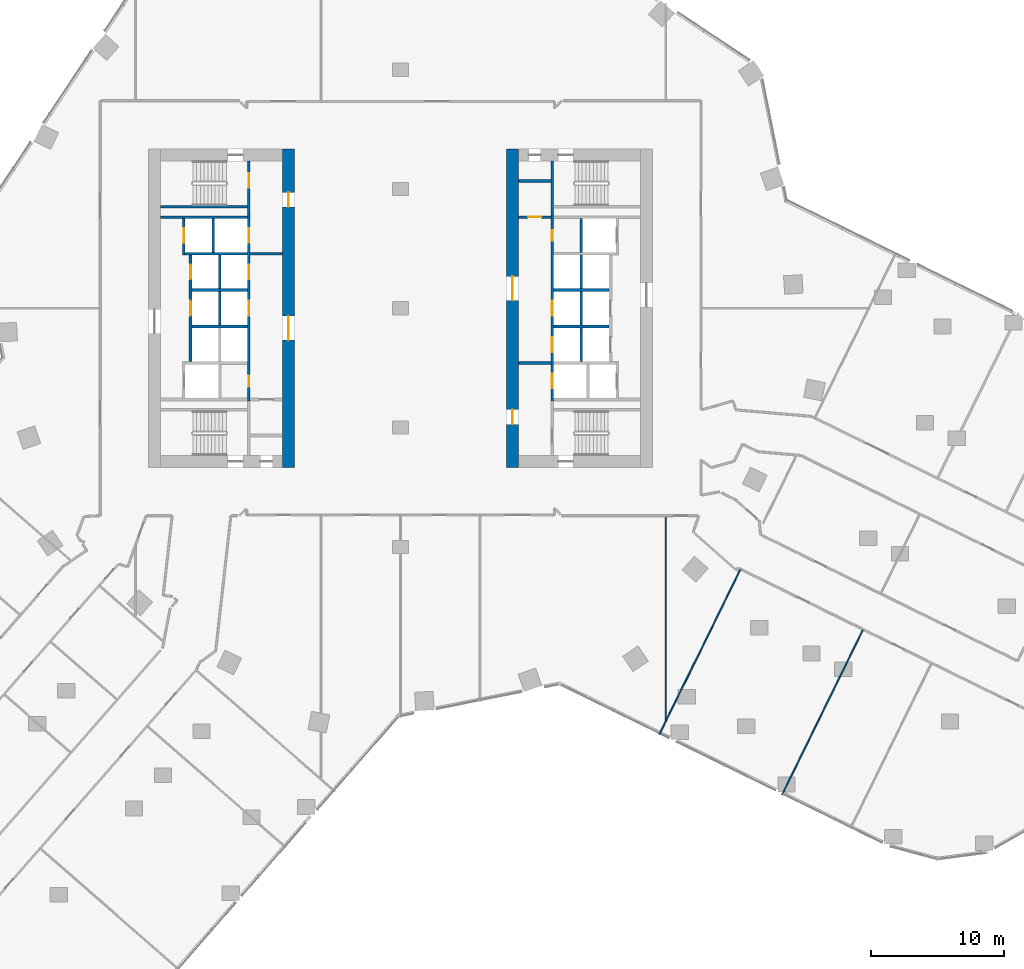
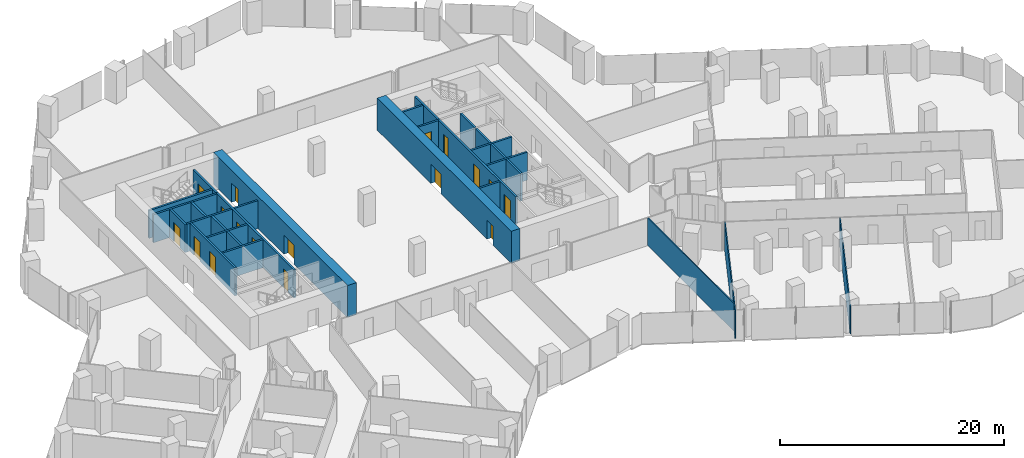
# One storey, part 28 of 38: 30 walls, 17 doors, 17 openings.
"""IFC4 building model written with IfcOpenShell, lengths in metres."""

import ifcopenshell
import ifcopenshell.guid

model = None  # the IFC model being written
_history = None  # IfcOwnerHistory: only IFC2X3 demands one
_inside = {}  # id of a spatial element -> (the spatial element, [elements in it])
_under = {}  # id of a project, library or spatial element -> (it, [spatial elements below it])
_declared = {}  # id of a project -> (the project, [libraries it declares])
_typed = {}  # id of a type object -> (the type object, [elements of that type])
_made_of = {}  # id of a material, layer set ... -> (it, [elements and type objects made of it])


def new_model(schema):
    """Start an empty IFC model of exactly this schema.

    Asked for "IFC4X3", IfcOpenShell would pick the latest addendum, in which some entities
    have other attributes; the version numbers below select the first issue.
    IFC2X3 requires an IfcOwnerHistory on every rooted entity: one is made here for all.
    """
    global model, _history
    if schema == "IFC4X3":
        model = ifcopenshell.file(schema_version=(4, 3, 0, 0))
    else:
        model = ifcopenshell.file(schema=schema)
    _inside.clear()
    _under.clear()
    _declared.clear()
    _typed.clear()
    _made_of.clear()
    _history = None
    if model.schema == "IFC2X3":
        org = make("IfcOrganization", Name="unknown")
        user = make(
            "IfcPersonAndOrganization",
            ThePerson=make("IfcPerson", FamilyName="unknown"),
            TheOrganization=org,
        )
        app = make(
            "IfcApplication",
            ApplicationDeveloper=org,
            Version="unknown",
            ApplicationFullName="unknown",
            ApplicationIdentifier="unknown",
        )
        _history = make(
            "IfcOwnerHistory",
            OwningUser=user,
            OwningApplication=app,
            ChangeAction="ADDED",
            CreationDate=0,
        )
    return model


def make(cls, **values):
    """One entity of the class cls with the attributes given. An attribute that is None is left unset."""
    return model.create_entity(
        cls, **{name: value for name, value in values.items() if value is not None}
    )


def rooted(cls, **values):
    """An entity with a GlobalId (a new one), such as an element, a storey or a relation."""
    return make(cls, GlobalId=ifcopenshell.guid.new(), OwnerHistory=_history, **values)


def si_unit(unit_type, name, prefix=None):
    """IfcSIUnit, for example si_unit("LENGTHUNIT", "METRE", prefix="MILLI")."""
    return make("IfcSIUnit", UnitType=unit_type, Prefix=prefix, Name=name)


def assignment(units):
    """IfcUnitAssignment: the units of a project."""
    return None if units is None else make("IfcUnitAssignment", Units=units)


def point(xyz):
    """IfcCartesianPoint."""
    return None if xyz is None else make("IfcCartesianPoint", Coordinates=xyz)


def direction(xyz):
    """IfcDirection."""
    return None if xyz is None else make("IfcDirection", DirectionRatios=xyz)


def frame(location, z_axis=None, x_axis=None):
    """IfcAxis2Placement3D, a coordinate frame: its origin and axes. An axis left out is left unset."""
    return make(
        "IfcAxis2Placement3D",
        Location=point(location),
        Axis=direction(z_axis),
        RefDirection=direction(x_axis),
    )


def frame_2d(location, x_axis=None):
    """IfcAxis2Placement2D, a coordinate frame in the plane: its origin and x axis."""
    return make(
        "IfcAxis2Placement2D", Location=point(location), RefDirection=direction(x_axis)
    )


def origin():
    """The frame at (0, 0, 0) with its axes left unset."""
    return frame((0.0, 0.0, 0.0))


def place(relative_to, where):
    """IfcLocalPlacement: puts the frame where relative to a parent placement (None: the world)."""
    return make(
        "IfcLocalPlacement", PlacementRelTo=relative_to, RelativePlacement=where
    )


def context(
    kind, dimensions, precision=None, world=None, true_north=None, identifier=None
):
    """IfcGeometricRepresentationContext, for example the 3D "Model" context."""
    return make(
        "IfcGeometricRepresentationContext",
        ContextIdentifier=identifier,
        ContextType=kind,
        CoordinateSpaceDimension=dimensions,
        Precision=precision,
        WorldCoordinateSystem=world,
        TrueNorth=true_north,
    )


def subcontext(parent, identifier, kind, view, scale=None):
    """IfcGeometricRepresentationSubContext, for example "Body" below "Model"."""
    return make(
        "IfcGeometricRepresentationSubContext",
        ContextIdentifier=identifier,
        ContextType=kind,
        ParentContext=parent,
        TargetScale=scale,
        TargetView=view,
    )


def project(units=None, contexts=None):
    """IfcProject with its units and contexts."""
    return rooted(
        "IfcProject",
        Name="project",
        RepresentationContexts=contexts,
        UnitsInContext=assignment(units),
    )


def spatial(cls, under=None, at=None, **own):
    """A site, building, storey or space (cls), placed at a placement, below another one or the project."""
    s = rooted(cls, ObjectPlacement=at, **own)
    if under is not None:
        _under.setdefault(under.id(), (under, []))[1].append(s)
    return s


def profile(cls, at=None, kind="AREA", **sizes):
    """A parametric profile (cls). Its sizes go by their IFC names, for example OverallWidth=200.0."""
    return make(cls, ProfileType=kind, Position=at, **sizes)


def rectangle(**sizes):
    """IfcRectangleProfileDef."""
    return profile("IfcRectangleProfileDef", **sizes)


def extrude(swept, where, along, depth):
    """IfcExtrudedAreaSolid: the profile swept, set in the frame where, extruded along a direction by depth."""
    return make(
        "IfcExtrudedAreaSolid",
        SweptArea=swept,
        Position=where,
        ExtrudedDirection=direction(along),
        Depth=depth,
    )


def shape(context_of_items, identifier, shape_type, items):
    """IfcShapeRepresentation: the items that make up one representation, for example the "Body"."""
    return make(
        "IfcShapeRepresentation",
        ContextOfItems=context_of_items,
        RepresentationIdentifier=identifier,
        RepresentationType=shape_type,
        Items=items,
    )


def material(Name=None, Category=None):
    """IfcMaterial."""
    return make("IfcMaterial", Name=Name, Category=Category)


def layer(
    of_material, thickness, ventilated=None, Name=None, Category=None, Priority=None
):
    """IfcMaterialLayer: one layer of a wall or slab, of a material (None: an air gap)."""
    return make(
        "IfcMaterialLayer",
        Material=of_material,
        LayerThickness=thickness,
        IsVentilated=ventilated,
        Name=Name,
        Category=Category,
        Priority=Priority,
    )


def layer_set(layers, Name=None):
    """IfcMaterialLayerSet."""
    return make("IfcMaterialLayerSet", MaterialLayers=layers, LayerSetName=Name)


def made_of(thing, what):
    """Note that an element or type object is made of a material, layer set ...; save() writes the relation."""
    if what is not None:
        _made_of.setdefault(what.id(), (what, []))[1].append(thing)
    return thing


def type_object(cls, material=None, **own):
    """A type object (cls), such as IfcWallType, which elements share."""
    return made_of(rooted(cls, **own), material)


def element(
    cls,
    number,
    at=None,
    inside=None,
    cuts=None,
    type_object=None,
    material=None,
    context=None,
    identifier="Body",
    shape_type=None,
    held_by="IfcProductDefinitionShape",
    body=None,
    shapes=None,
    **own,
):
    """One element of the class cls, such as IfcWall. Its Tag is "e" and its number.

    at: its placement. inside: the storey or other place that contains it. cuts: it is an
    opening in that element (IfcRelVoidsElement). A single representation is given by context,
    identifier, shape_type and body (its items); several are given by shapes. held_by: the class
    of the entity that holds the representations. save() writes the other relations.
    """
    e = rooted(cls, Tag="e%d" % number, ObjectPlacement=at, **own)
    if body is not None:
        shapes = [shape(context, identifier, shape_type, body)]
    if shapes is not None:
        e.Representation = make(held_by, Representations=shapes)
    if inside is not None:
        _inside.setdefault(inside.id(), (inside, []))[1].append(e)
    if cuts is not None:
        rooted(
            "IfcRelVoidsElement", RelatingBuildingElement=cuts, RelatedOpeningElement=e
        )
    if type_object is not None:
        _typed.setdefault(type_object.id(), (type_object, []))[1].append(e)
    return made_of(e, material)


def fill(opening, filler):
    """IfcRelFillsElement: the door or window that sits in an opening."""
    return rooted(
        "IfcRelFillsElement",
        RelatingOpeningElement=opening,
        RelatedBuildingElement=filler,
    )


def aggregate(whole, parts):
    """IfcRelAggregates: a whole, such as a stair, and the parts it consists of."""
    return rooted("IfcRelAggregates", RelatingObject=whole, RelatedObjects=parts)


def save(model, path):
    """Write the relations noted so far, then the file.

    IfcRelAggregates (storeys below a building ...), IfcRelContainedInSpatialStructure (elements
    in a storey), IfcRelDefinesByType, IfcRelAssociatesMaterial and IfcRelDeclares: one each for
    every whole, place, type object, material and project.
    """
    for whole, parts in _under.values():
        aggregate(whole, parts)
    for where, things in _inside.values():
        rooted(
            "IfcRelContainedInSpatialStructure",
            RelatedElements=things,
            RelatingStructure=where,
        )
    for kind, things in _typed.values():
        rooted("IfcRelDefinesByType", RelatedObjects=things, RelatingType=kind)
    for what, things in _made_of.values():
        rooted("IfcRelAssociatesMaterial", RelatedObjects=things, RelatingMaterial=what)
    for by, libraries in _declared.values():
        rooted("IfcRelDeclares", RelatingContext=by, RelatedDefinitions=libraries)
    model.write(path)


model = new_model("IFC4")

# Units and contexts
model_context = context("Model", 3, precision=1e-05, world=origin(), true_north=direction((0.0, 1.0)))
body_context = subcontext(model_context, "Body", "Model", "MODEL_VIEW")
ifc_project = project(units=[si_unit("LENGTHUNIT", "METRE"), si_unit("AREAUNIT", "SQUARE_METRE"), si_unit("VOLUMEUNIT", "CUBIC_METRE"), si_unit("PLANEANGLEUNIT", "RADIAN"), si_unit("MASSUNIT", "GRAM", prefix="KILO")], contexts=[model_context])

# Site, building, storey
site_placement = place(None, origin())
site = spatial("IfcSite", under=ifc_project, at=site_placement, CompositionType="ELEMENT")
building_placement = place(site_placement, origin())
building = spatial("IfcBuilding", under=site, at=building_placement, Name="Orlundy Tower", CompositionType="ELEMENT")
storey_placement = place(building_placement, frame((0.0, 0.0, 72.800048828125)))
storey = spatial("IfcBuildingStorey", under=building, at=storey_placement, Name="L17", CompositionType="ELEMENT", Elevation=72.800048828125)

# Wall, openings, doors
ifc_material_1 = material(Name="Concrete C80/95", Category="concrete")
ifc_layer_1 = layer(ifc_material_1, 0.89990234375)
ifc_layer_set_1 = layer_set([ifc_layer_1], Name="CORE WALL 900 C80/95")
wall_type_1 = type_object("IfcWallType", Name="CORE WALL 900 C80/95", PredefinedType="SHEAR", material=ifc_layer_set_1)
wall_1_placement = place(storey_placement, frame((-8.449951171875, -12.0, 0.0), z_axis=(0.0, 0.0, 1.0), x_axis=(0.0, 1.0, 0.0)))
wall_1 = element("IfcWall", 1, at=wall_1_placement, inside=storey, type_object=wall_type_1, Name="Core wall W-E L17", PredefinedType="SHEAR", context=body_context, shape_type="SweptSolid", body=[
    extrude(rectangle(XDim=24.0, YDim=0.89990234375, at=frame_2d((12.0, 0.0))), origin(), (0.0, 0.0, 1.0), 3.5),
])
opening_1_placement = place(wall_1_placement, frame((9.60009765625, 0.0, 0.0)))
opening_1 = element("IfcOpeningElement", 2, at=opening_1_placement, cuts=wall_1, Name="Opening 14009", PredefinedType="OPENING", context=body_context, shape_type="SweptSolid", body=[
    extrude(rectangle(XDim=1.800048828125, YDim=2.10009765625, at=frame_2d((0.89990234375, 1.050048828125))), frame((0.0, 0.4599609375, 0.0), z_axis=(0.0, -1.0, 0.0), x_axis=(1.0, 0.0, 0.0)), (0.0, 0.0, 1.0), 0.919921875),
])
opening_2_placement = place(wall_1_placement, frame((19.64990234375, 0.0, 0.0)))
opening_2 = element("IfcOpeningElement", 3, at=opening_2_placement, cuts=wall_1, Name="Opening 14011", PredefinedType="OPENING", context=body_context, shape_type="SweptSolid", body=[
    extrude(rectangle(XDim=1.10009765625, YDim=2.10009765625, at=frame_2d((0.550048828125, 1.050048828125))), frame((0.0, 0.4599609375, 0.0), z_axis=(0.0, -1.0, 0.0), x_axis=(1.0, 0.0, 0.0)), (0.0, 0.0, 1.0), 0.919921875),
])
ifc_material_2 = material(Name="Steel door set", Category="steel")
door_type_1 = type_object("IfcDoorType", Name="Fire-fighting Lobby Door 1100x2100", OperationType="SINGLE_SWING_LEFT", PredefinedType="DOOR", material=ifc_material_2)
door_1_placement = place(opening_2_placement, origin())
door_1 = element("IfcDoor", 4, at=door_1_placement, inside=storey, type_object=door_type_1, Name="Fire-fighting lobby door 14011", OperationType="SINGLE_SWING_RIGHT", OverallHeight=2.10009765625, OverallWidth=1.10009765625, PredefinedType="DOOR", context=body_context, shape_type="SweptSolid", body=[
    extrude(rectangle(XDim=1.10009765625, YDim=2.10009765625, at=frame_2d((0.550048828125, 1.050048828125))), frame((0.0, 0.02490234375, 0.0), z_axis=(0.0, -1.0, 0.0), x_axis=(1.0, 0.0, 0.0)), (0.0, 0.0, 1.0), 0.050048828125),
])
fill(opening_2, door_1)
ifc_material_3 = material(Name="Timber door set", Category="wood")
door_type_2 = type_object("IfcDoorType", Name="Lobby Door 1800x2100", OperationType="DOUBLE_DOOR_DOUBLE_SWING", PredefinedType="DOOR", material=ifc_material_3)
door_2_placement = place(opening_1_placement, origin())
door_2 = element("IfcDoor", 5, at=door_2_placement, inside=storey, type_object=door_type_2, Name="Lift lobby door 14009", OperationType="SINGLE_SWING_LEFT", OverallHeight=2.10009765625, OverallWidth=1.800048828125, PredefinedType="DOOR", context=body_context, shape_type="SweptSolid", body=[
    extrude(rectangle(XDim=1.800048828125, YDim=2.10009765625, at=frame_2d((0.89990234375, 1.050048828125))), frame((0.0, 0.02490234375, 0.0), z_axis=(0.0, -1.0, 0.0), x_axis=(1.0, 0.0, 0.0)), (0.0, 0.0, 1.0), 0.050048828125),
])
fill(opening_1, door_2)

wall_2_placement = place(storey_placement, frame((8.449951171875, -12.0, 0.0), z_axis=(0.0, 0.0, 1.0), x_axis=(0.0, 1.0, 0.0)))
wall_2 = element("IfcWall", 6, at=wall_2_placement, inside=storey, type_object=wall_type_1, Name="Core wall E-W L17", PredefinedType="SHEAR", context=body_context, shape_type="SweptSolid", body=[
    extrude(rectangle(XDim=24.0, YDim=0.89990234375, at=frame_2d((12.0, 0.0))), origin(), (0.0, 0.0, 1.0), 3.5),
])
opening_3_placement = place(wall_2_placement, frame((12.60009765625, 0.0, 0.0)))
opening_3 = element("IfcOpeningElement", 7, at=opening_3_placement, cuts=wall_2, Name="Opening 14058", PredefinedType="OPENING", context=body_context, shape_type="SweptSolid", body=[
    extrude(rectangle(XDim=1.800048828125, YDim=2.10009765625, at=frame_2d((0.89990234375, 1.050048828125))), frame((0.0, 0.4599609375, 0.0), z_axis=(0.0, -1.0, 0.0), x_axis=(1.0, 0.0, 0.0)), (0.0, 0.0, 1.0), 0.919921875),
])
opening_4_placement = place(wall_2_placement, frame((3.25, 0.0, 0.0)))
opening_4 = element("IfcOpeningElement", 8, at=opening_4_placement, cuts=wall_2, Name="Opening 14060", PredefinedType="OPENING", context=body_context, shape_type="SweptSolid", body=[
    extrude(rectangle(XDim=1.10009765625, YDim=2.10009765625, at=frame_2d((0.550048828125, 1.050048828125))), frame((0.0, 0.4599609375, 0.0), z_axis=(0.0, -1.0, 0.0), x_axis=(1.0, 0.0, 0.0)), (0.0, 0.0, 1.0), 0.919921875),
])
door_3_placement = place(opening_4_placement, origin())
door_3 = element("IfcDoor", 9, at=door_3_placement, inside=storey, type_object=door_type_1, Name="Fire-fighting lobby door 14060", OperationType="SINGLE_SWING_LEFT", OverallHeight=2.10009765625, OverallWidth=1.10009765625, PredefinedType="DOOR", context=body_context, shape_type="SweptSolid", body=[
    extrude(rectangle(XDim=1.10009765625, YDim=2.10009765625, at=frame_2d((0.550048828125, 1.050048828125))), frame((0.0, 0.02490234375, 0.0), z_axis=(0.0, -1.0, 0.0), x_axis=(1.0, 0.0, 0.0)), (0.0, 0.0, 1.0), 0.050048828125),
])
fill(opening_4, door_3)
door_4_placement = place(opening_3_placement, origin())
door_4 = element("IfcDoor", 10, at=door_4_placement, inside=storey, type_object=door_type_2, Name="Lift lobby door 14058", OperationType="SINGLE_SWING_RIGHT", OverallHeight=2.10009765625, OverallWidth=1.800048828125, PredefinedType="DOOR", context=body_context, shape_type="SweptSolid", body=[
    extrude(rectangle(XDim=1.800048828125, YDim=2.10009765625, at=frame_2d((0.89990234375, 1.050048828125))), frame((0.0, 0.02490234375, 0.0), z_axis=(0.0, -1.0, 0.0), x_axis=(1.0, 0.0, 0.0)), (0.0, 0.0, 1.0), 0.050048828125),
])
fill(opening_3, door_4)

# Walls
ifc_material_4 = material(Name="Gypsum board partition")
ifc_layer_2 = layer(ifc_material_4, 0.10009765625)
ifc_layer_set_2 = layer_set([ifc_layer_2], Name="Floor partition 100")
wall_type_2 = type_object("IfcWallType", Name="Floor partition 100", PredefinedType="PARTITIONING", material=ifc_layer_set_2)
wall_3_placement = place(storey_placement, frame((28.76611328125, -36.695068359375, 0.0), z_axis=(0.0, 0.0, 1.0), x_axis=(0.440949019424, 0.897532151106, 0.0)))
element("IfcWall", 11, at=wall_3_placement, inside=storey, type_object=wall_type_2, Name="wall-int-L17-074", PredefinedType="PARTITIONING", context=body_context, shape_type="SweptSolid", body=[
    extrude(rectangle(XDim=13.835693359375, YDim=0.10009765625, at=frame_2d((6.91796875, 0.0))), origin(), (0.0, 0.0, 1.0), 3.030029296875),
])
wall_4_placement = place(storey_placement, frame((20.014892578125, -31.133056640625, 0.0), z_axis=(0.0, 0.0, 1.0), x_axis=(0.440975509771, 0.897519136165, 0.0)))
element("IfcWall", 12, at=wall_4_placement, inside=storey, type_object=wall_type_2, Name="wall-int-L17-077", PredefinedType="PARTITIONING", context=body_context, shape_type="SweptSolid", body=[
    extrude(rectangle(XDim=12.76513671875, YDim=0.10009765625, at=frame_2d((6.382568359375, 0.0))), origin(), (0.0, 0.0, 1.0), 3.030029296875),
])
wall_5_placement = place(storey_placement, frame((19.51611328125, -32.15087890625, 0.0), z_axis=(0.0, 0.0, 1.0), x_axis=(0.44043528265, 0.897784362638, 0.0)))
element("IfcWall", 13, at=wall_5_placement, inside=storey, type_object=wall_type_2, Name="wall-int-L17-080", PredefinedType="PARTITIONING", context=body_context, shape_type="SweptSolid", body=[
    extrude(rectangle(XDim=1.08251953125, YDim=0.10009765625, at=frame_2d((0.541259765625, 0.0))), origin(), (0.0, 0.0, 1.0), 3.030029296875),
])
wall_6_placement = place(storey_placement, frame((20.0, -31.1650390625, 0.0), z_axis=(0.0, 0.0, 1.0), x_axis=(0.0, 1.0, 0.0)))
element("IfcWall", 14, at=wall_6_placement, inside=storey, type_object=wall_type_2, Name="wall-int-L17-093", PredefinedType="PARTITIONING", context=body_context, shape_type="SweptSolid", body=[
    extrude(rectangle(XDim=15.4521484375, YDim=0.10009765625, at=frame_2d((7.72607421875, 0.0))), origin(), (0.0, 0.0, 1.0), 3.030029296875),
])

# Wall, opening, door
ifc_material_5 = material(Name="Concrete C40/50", Category="concrete")
ifc_layer_3 = layer(ifc_material_5, 0.199951171875)
ifc_layer_set_3 = layer_set([ifc_layer_3], Name="Load-bearing Shaft Wall 200")
wall_type_3 = type_object("IfcWallType", Name="Load-bearing Shaft Wall 200", PredefinedType="SOLIDWALL", material=ifc_layer_set_3)
wall_7_placement = place(storey_placement, frame((-11.43994140625, 6.97509765625, 0.0), z_axis=(0.0, 0.0, 1.0), x_axis=(0.0, 1.0, 0.0)))
wall_7 = element("IfcWall", 15, at=wall_7_placement, inside=storey, type_object=wall_type_3, Name="Shaft wall W14-stair-end-n", PredefinedType="SOLIDWALL", context=body_context, shape_type="SweptSolid", body=[
    extrude(rectangle(XDim=4.125, YDim=0.199951171875, at=frame_2d((2.0625, 0.0))), origin(), (0.0, 0.0, 1.0), 3.050048828125),
])
opening_5_placement = place(wall_7_placement, frame((2.10009765625, 0.0, 0.0)))
opening_5 = element("IfcOpeningElement", 16, at=opening_5_placement, cuts=wall_7, Name="Opening 14014", PredefinedType="OPENING", context=body_context, shape_type="SweptSolid", body=[
    extrude(rectangle(XDim=1.10009765625, YDim=2.10009765625, at=frame_2d((0.550048828125, 1.050048828125))), frame((0.0, 0.110107421875, 0.0), z_axis=(0.0, -1.0, 0.0), x_axis=(1.0, 0.0, 0.0)), (0.0, 0.0, 1.0), 0.22021484375),
])
door_5_placement = place(opening_5_placement, origin())
door_5 = element("IfcDoor", 17, at=door_5_placement, inside=storey, type_object=door_type_1, Name="Fire-fighting lobby to stair door 14014", OperationType="SINGLE_SWING_RIGHT", OverallHeight=2.10009765625, OverallWidth=1.10009765625, PredefinedType="DOOR", context=body_context, shape_type="SweptSolid", body=[
    extrude(rectangle(XDim=1.10009765625, YDim=2.10009765625, at=frame_2d((0.550048828125, 1.050048828125))), frame((0.0, 0.02490234375, 0.0), z_axis=(0.0, -1.0, 0.0), x_axis=(1.0, 0.0, 0.0)), (0.0, 0.0, 1.0), 0.050048828125),
])
fill(opening_5, door_5)

# Walls
wall_8_placement = place(storey_placement, frame((-11.5400390625, 7.64990234375, 0.0), z_axis=(0.0, 0.0, 1.0), x_axis=(-1.0, 0.0, 0.0)))
element("IfcWall", 18, at=wall_8_placement, inside=storey, type_object=wall_type_3, Name="Shaft wall W14-stair-side-n", PredefinedType="SOLIDWALL", context=body_context, shape_type="SweptSolid", body=[
    extrude(rectangle(XDim=6.56005859375, YDim=0.199951171875, at=frame_2d((3.280029296875, 0.0))), origin(), (0.0, 0.0, 1.0), 3.050048828125),
])
wall_9_placement = place(storey_placement, frame((11.43994140625, 11.10009765625, 0.0), z_axis=(0.0, 0.0, 1.0), x_axis=(0.0, -1.0, 0.0)))
element("IfcWall", 19, at=wall_9_placement, inside=storey, type_object=wall_type_3, Name="Shaft wall E14-stair-end-s", PredefinedType="SOLIDWALL", context=body_context, shape_type="SweptSolid", body=[
    extrude(rectangle(XDim=4.125, YDim=0.199951171875, at=frame_2d((2.0625, 0.0))), origin(), (0.0, 0.0, 1.0), 3.050048828125),
])
ifc_material_6 = material(Name="Gypsum board partition on steel studs", Category="steel")
ifc_layer_4 = layer(ifc_material_6, 0.199951171875)
ifc_layer_set_4 = layer_set([ifc_layer_4], Name="Partition 200")
wall_type_4 = type_object("IfcWallType", Name="Partition 200", PredefinedType="PARTITIONING", material=ifc_layer_set_4)
for number, where, z_axis, x_axis, name in (
    (20, (-8.89990234375, 4.125, 0.0), (0.0, 0.0, 1.0), (-1.0, 0.0, 0.0), "Partition wall W14-lobby-n"),
    (21, (8.89990234375, -4.125, 0.0), (0.0, 0.0, 1.0), (1.0, 0.0, 0.0), "Partition wall E14-lobby-n"),
):
    element("IfcWall", number, at=place(storey_placement, frame(where, z_axis=z_axis, x_axis=x_axis)), inside=storey, type_object=wall_type_4, Name=name, PredefinedType="PARTITIONING", context=body_context, shape_type="SweptSolid", body=[
        extrude(rectangle(XDim=2.440185546875, YDim=0.199951171875, at=frame_2d((1.22021484375, 0.0))), origin(), (0.0, 0.0, 1.0), 3.050048828125),
    ])

# Wall, opening, door
wall_10_placement = place(storey_placement, frame((8.89990234375, 6.875, 0.0), z_axis=(0.0, 0.0, 1.0), x_axis=(1.0, 0.0, 0.0)))
wall_10 = element("IfcWall", 22, at=wall_10_placement, inside=storey, type_object=wall_type_4, Name="Partition wall E14-end-s", PredefinedType="PARTITIONING", context=body_context, shape_type="SweptSolid", body=[
    extrude(rectangle(XDim=2.440185546875, YDim=0.199951171875, at=frame_2d((1.22021484375, 0.0))), origin(), (0.0, 0.0, 1.0), 3.050048828125),
])
opening_6_placement = place(wall_10_placement, frame((0.719970703125, 0.0, 0.0)))
opening_6 = element("IfcOpeningElement", 23, at=opening_6_placement, cuts=wall_10, Name="Opening 14065", PredefinedType="OPENING", context=body_context, shape_type="SweptSolid", body=[
    extrude(rectangle(XDim=1.0, YDim=2.10009765625, at=frame_2d((0.5, 1.050048828125))), frame((0.0, 0.110107421875, 0.0), z_axis=(0.0, -1.0, 0.0), x_axis=(1.0, 0.0, 0.0)), (0.0, 0.0, 1.0), 0.22021484375),
])
ifc_material_7 = material(Name="Timber door set", Category="wood")
door_type_3 = type_object("IfcDoorType", Name="Accessible Door 1000x2100", OperationType="SINGLE_SWING_LEFT", PredefinedType="DOOR", material=ifc_material_7)
door_6_placement = place(opening_6_placement, origin())
door_6 = element("IfcDoor", 24, at=door_6_placement, inside=storey, type_object=door_type_3, Name="Accessible WC door 14065", OperationType="SINGLE_SWING_RIGHT", OverallHeight=2.10009765625, OverallWidth=1.0, PredefinedType="DOOR", context=body_context, shape_type="SweptSolid", body=[
    extrude(rectangle(XDim=1.0, YDim=2.10009765625, at=frame_2d((0.5, 1.050048828125))), frame((0.0, 0.02490234375, 0.0), z_axis=(0.0, -1.0, 0.0), x_axis=(1.0, 0.0, 0.0)), (0.0, 0.0, 1.0), 0.050048828125),
])
fill(opening_6, door_6)

# Walls
wall_11_placement = place(storey_placement, frame((8.89990234375, 9.60009765625, 0.0), z_axis=(0.0, 0.0, 1.0), x_axis=(1.0, 0.0, 0.0)))
element("IfcWall", 25, at=wall_11_placement, inside=storey, type_object=wall_type_4, Name="Partition wall E14-room-s0", PredefinedType="PARTITIONING", context=body_context, shape_type="SweptSolid", body=[
    extrude(rectangle(XDim=2.440185546875, YDim=0.199951171875, at=frame_2d((1.22021484375, 0.0))), origin(), (0.0, 0.0, 1.0), 3.050048828125),
])
ifc_material_8 = material(Name="Fire-rated blockwork shaft wall", Category="masonry")
ifc_layer_5 = layer(ifc_material_8, 0.199951171875)
ifc_layer_set_5 = layer_set([ifc_layer_5], Name="Shaft Wall 200")
wall_type_5 = type_object("IfcWallType", Name="Shaft Wall 200", PredefinedType="SOLIDWALL", material=ifc_layer_set_5)
wall_12_placement = place(storey_placement, frame((-11.5400390625, 6.875, 0.0), z_axis=(0.0, 0.0, 1.0), x_axis=(-1.0, 0.0, 0.0)))
element("IfcWall", 26, at=wall_12_placement, inside=storey, type_object=wall_type_5, Name="Shaft wall W14-zone-n", PredefinedType="SOLIDWALL", context=body_context, shape_type="SweptSolid", body=[
    extrude(rectangle(XDim=6.56005859375, YDim=0.199951171875, at=frame_2d((3.280029296875, 0.0))), origin(), (0.0, 0.0, 1.0), 3.050048828125),
])
for number, where, z_axis, x_axis, name in (
    (27, (-11.5400390625, -1.375, 0.0), (0.0, 0.0, 1.0), (-1.0, 0.0, 0.0), "Shaft wall W14-cross-1.375"),
    (28, (-11.5400390625, 1.375, 0.0), (0.0, 0.0, 1.0), (-1.0, 0.0, 0.0), "Shaft wall W14-cross+1.375"),
):
    element("IfcWall", number, at=place(storey_placement, frame(where, z_axis=z_axis, x_axis=x_axis)), inside=storey, type_object=wall_type_5, Name=name, PredefinedType="SOLIDWALL", context=body_context, shape_type="SweptSolid", body=[
        extrude(rectangle(XDim=4.199951171875, YDim=0.199951171875, at=frame_2d((2.10009765625, 0.0))), origin(), (0.0, 0.0, 1.0), 3.050048828125),
    ])
wall_13_placement = place(storey_placement, frame((-11.5400390625, 4.125, 0.0), z_axis=(0.0, 0.0, 1.0), x_axis=(-1.0, 0.0, 0.0)))
element("IfcWall", 29, at=wall_13_placement, inside=storey, type_object=wall_type_5, Name="Shaft wall W14-cross+4.125", PredefinedType="SOLIDWALL", context=body_context, shape_type="SweptSolid", body=[
    extrude(rectangle(XDim=4.699951171875, YDim=0.199951171875, at=frame_2d((2.35009765625, 0.0))), origin(), (0.0, 0.0, 1.0), 3.050048828125),
])

# Wall, openings, doors
wall_14_placement = place(storey_placement, frame((-11.43994140625, -6.97509765625, 0.0), z_axis=(0.0, 0.0, 1.0), x_axis=(0.0, 1.0, 0.0)))
wall_14 = element("IfcWall", 30, at=wall_14_placement, inside=storey, type_object=wall_type_5, Name="Shaft wall W14-front-h", PredefinedType="SOLIDWALL", context=body_context, shape_type="SweptSolid", body=[
    extrude(rectangle(XDim=13.9501953125, YDim=0.199951171875, at=frame_2d((6.97509765625, 0.0))), origin(), (0.0, 0.0, 1.0), 3.050048828125),
])
opening_7_placement = place(wall_14_placement, frame((6.425048828125, 0.0, 0.0)))
opening_7 = element("IfcOpeningElement", 31, at=opening_7_placement, cuts=wall_14, Name="Opening 14002", PredefinedType="OPENING", context=body_context, shape_type="SweptSolid", body=[
    extrude(rectangle(XDim=1.10009765625, YDim=2.10009765625, at=frame_2d((0.550048828125, 1.050048828125))), frame((0.0, 0.110107421875, 0.0), z_axis=(0.0, -1.0, 0.0), x_axis=(1.0, 0.0, 0.0)), (0.0, 0.0, 1.0), 0.22021484375),
])
opening_8_placement = place(wall_14_placement, frame((9.175048828125, 0.0, 0.0)))
opening_8 = element("IfcOpeningElement", 32, at=opening_8_placement, cuts=wall_14, Name="Opening 14004", PredefinedType="OPENING", context=body_context, shape_type="SweptSolid", body=[
    extrude(rectangle(XDim=1.10009765625, YDim=2.10009765625, at=frame_2d((0.550048828125, 1.050048828125))), frame((0.0, 0.110107421875, 0.0), z_axis=(0.0, -1.0, 0.0), x_axis=(1.0, 0.0, 0.0)), (0.0, 0.0, 1.0), 0.22021484375),
])
opening_9_placement = place(wall_14_placement, frame((11.925048828125, 0.0, 0.0)))
opening_9 = element("IfcOpeningElement", 33, at=opening_9_placement, cuts=wall_14, Name="Opening 14006", PredefinedType="OPENING", context=body_context, shape_type="SweptSolid", body=[
    extrude(rectangle(XDim=1.10009765625, YDim=2.10009765625, at=frame_2d((0.550048828125, 1.050048828125))), frame((0.0, 0.110107421875, 0.0), z_axis=(0.0, -1.0, 0.0), x_axis=(1.0, 0.0, 0.0)), (0.0, 0.0, 1.0), 0.22021484375),
])
opening_10_placement = place(wall_14_placement, frame((1.074951171875, 0.0, 0.0)))
opening_10 = element("IfcOpeningElement", 34, at=opening_10_placement, cuts=wall_14, Name="Opening 14008", PredefinedType="OPENING", context=body_context, shape_type="SweptSolid", body=[
    extrude(rectangle(XDim=0.800048828125, YDim=2.10009765625, at=frame_2d((0.39990234375, 1.050048828125))), frame((0.0, 0.110107421875, 0.0), z_axis=(0.0, -1.0, 0.0), x_axis=(1.0, 0.0, 0.0)), (0.0, 0.0, 1.0), 0.22021484375),
])
ifc_material_9 = material(Name="Steel door set", Category="steel")
door_type_4 = type_object("IfcDoorType", Name="Landing Door 1100x2100", OperationType="DOUBLE_DOOR_SLIDING", PredefinedType="DOOR", material=ifc_material_9)
door_7_placement = place(opening_7_placement, origin())
door_7 = element("IfcDoor", 35, at=door_7_placement, inside=storey, type_object=door_type_4, Name="Lift landing door LP-05 14002", OperationType="DOUBLE_DOOR_SLIDING", OverallHeight=2.10009765625, OverallWidth=1.10009765625, PredefinedType="DOOR", context=body_context, shape_type="SweptSolid", body=[
    extrude(rectangle(XDim=1.10009765625, YDim=2.10009765625, at=frame_2d((0.550048828125, 1.050048828125))), frame((0.0, 0.02490234375, 0.0), z_axis=(0.0, -1.0, 0.0), x_axis=(1.0, 0.0, 0.0)), (0.0, 0.0, 1.0), 0.050048828125),
])
fill(opening_7, door_7)
door_8_placement = place(opening_8_placement, origin())
door_8 = element("IfcDoor", 36, at=door_8_placement, inside=storey, type_object=door_type_4, Name="Lift landing door LP-02 14004", OperationType="DOUBLE_DOOR_SLIDING", OverallHeight=2.10009765625, OverallWidth=1.10009765625, PredefinedType="DOOR", context=body_context, shape_type="SweptSolid", body=[
    extrude(rectangle(XDim=1.10009765625, YDim=2.10009765625, at=frame_2d((0.550048828125, 1.050048828125))), frame((0.0, 0.02490234375, 0.0), z_axis=(0.0, -1.0, 0.0), x_axis=(1.0, 0.0, 0.0)), (0.0, 0.0, 1.0), 0.050048828125),
])
fill(opening_8, door_8)
door_9_placement = place(opening_9_placement, origin())
door_9 = element("IfcDoor", 37, at=door_9_placement, inside=storey, type_object=door_type_4, Name="Lift landing door FL1 14006", OperationType="DOUBLE_DOOR_SLIDING", OverallHeight=2.10009765625, OverallWidth=1.10009765625, PredefinedType="DOOR", context=body_context, shape_type="SweptSolid", body=[
    extrude(rectangle(XDim=1.10009765625, YDim=2.10009765625, at=frame_2d((0.550048828125, 1.050048828125))), frame((0.0, 0.02490234375, 0.0), z_axis=(0.0, -1.0, 0.0), x_axis=(1.0, 0.0, 0.0)), (0.0, 0.0, 1.0), 0.050048828125),
])
fill(opening_9, door_9)
ifc_material_10 = material(Name="Timber door set", Category="wood")
door_type_5 = type_object("IfcDoorType", Name="Riser Door 800x2100", OperationType="SINGLE_SWING_LEFT", PredefinedType="DOOR", material=ifc_material_10)
door_10_placement = place(opening_10_placement, origin())
door_10 = element("IfcDoor", 38, at=door_10_placement, inside=storey, type_object=door_type_5, Name="Telecom Room door 14008", OperationType="SINGLE_SWING_LEFT", OverallHeight=2.10009765625, OverallWidth=0.800048828125, PredefinedType="DOOR", context=body_context, shape_type="SweptSolid", body=[
    extrude(rectangle(XDim=0.800048828125, YDim=2.10009765625, at=frame_2d((0.39990234375, 1.050048828125))), frame((0.0, 0.02490234375, 0.0), z_axis=(0.0, -1.0, 0.0), x_axis=(1.0, 0.0, 0.0)), (0.0, 0.0, 1.0), 0.050048828125),
])
fill(opening_10, door_10)

# Walls
for number, where, z_axis, x_axis, name in (
    (39, (-13.639892578125, -1.27490234375, 0.0), (0.0, 0.0, 1.0), (0.0, 1.0, 0.0), "Shaft wall W14-mid-a.2"),
    (40, (-13.639892578125, 1.47509765625, 0.0), (0.0, 0.0, 1.0), (0.0, 1.0, 0.0), "Shaft wall W14-mid-a.3"),
    (41, (-14.139892578125, 4.22509765625, 0.0), (0.0, 0.0, 1.0), (0.0, 1.0, 0.0), "Shaft wall W14-mid-b"),
):
    element("IfcWall", number, at=place(storey_placement, frame(where, z_axis=z_axis, x_axis=x_axis)), inside=storey, type_object=wall_type_5, Name=name, PredefinedType="SOLIDWALL", context=body_context, shape_type="SweptSolid", body=[
        extrude(rectangle(XDim=2.5498046875, YDim=0.199951171875, at=frame_2d((1.27490234375, 0.0))), origin(), (0.0, 0.0, 1.0), 3.050048828125),
    ])

# Wall, openings, doors
wall_15_placement = place(storey_placement, frame((-15.840087890625, -4.02490234375, 0.0), z_axis=(0.0, 0.0, 1.0), x_axis=(0.0, 1.0, 0.0)))
wall_15 = element("IfcWall", 42, at=wall_15_placement, inside=storey, type_object=wall_type_5, Name="Shaft wall W14-front-o-b", PredefinedType="SOLIDWALL", context=body_context, shape_type="SweptSolid", body=[
    extrude(rectangle(XDim=8.0498046875, YDim=0.199951171875, at=frame_2d((4.02490234375, 0.0))), origin(), (0.0, 0.0, 1.0), 3.050048828125),
])
opening_11_placement = place(wall_15_placement, frame((3.47509765625, 0.0, 0.0)))
opening_11 = element("IfcOpeningElement", 43, at=opening_11_placement, cuts=wall_15, Name="Opening 14003", PredefinedType="OPENING", context=body_context, shape_type="SweptSolid", body=[
    extrude(rectangle(XDim=1.10009765625, YDim=2.10009765625, at=frame_2d((0.550048828125, 1.050048828125))), frame((0.0, 0.110107421875, 0.0), z_axis=(0.0, -1.0, 0.0), x_axis=(1.0, 0.0, 0.0)), (0.0, 0.0, 1.0), 0.22021484375),
])
opening_12_placement = place(wall_15_placement, frame((6.22509765625, 0.0, 0.0)))
opening_12 = element("IfcOpeningElement", 44, at=opening_12_placement, cuts=wall_15, Name="Opening 14005", PredefinedType="OPENING", context=body_context, shape_type="SweptSolid", body=[
    extrude(rectangle(XDim=1.10009765625, YDim=2.10009765625, at=frame_2d((0.550048828125, 1.050048828125))), frame((0.0, 0.110107421875, 0.0), z_axis=(0.0, -1.0, 0.0), x_axis=(1.0, 0.0, 0.0)), (0.0, 0.0, 1.0), 0.22021484375),
])
door_11_placement = place(opening_11_placement, origin())
door_11 = element("IfcDoor", 45, at=door_11_placement, inside=storey, type_object=door_type_4, Name="Lift landing door LP-01 14003", OperationType="DOUBLE_DOOR_SLIDING", OverallHeight=2.10009765625, OverallWidth=1.10009765625, PredefinedType="DOOR", context=body_context, shape_type="SweptSolid", body=[
    extrude(rectangle(XDim=1.10009765625, YDim=2.10009765625, at=frame_2d((0.550048828125, 1.050048828125))), frame((0.0, 0.02490234375, 0.0), z_axis=(0.0, -1.0, 0.0), x_axis=(1.0, 0.0, 0.0)), (0.0, 0.0, 1.0), 0.050048828125),
])
fill(opening_11, door_11)
door_12_placement = place(opening_12_placement, origin())
door_12 = element("IfcDoor", 46, at=door_12_placement, inside=storey, type_object=door_type_4, Name="Lift landing door LP-03 14005", OperationType="DOUBLE_DOOR_SLIDING", OverallHeight=2.10009765625, OverallWidth=1.10009765625, PredefinedType="DOOR", context=body_context, shape_type="SweptSolid", body=[
    extrude(rectangle(XDim=1.10009765625, YDim=2.10009765625, at=frame_2d((0.550048828125, 1.050048828125))), frame((0.0, 0.02490234375, 0.0), z_axis=(0.0, -1.0, 0.0), x_axis=(1.0, 0.0, 0.0)), (0.0, 0.0, 1.0), 0.050048828125),
])
fill(opening_12, door_12)

# Wall, opening, door
wall_16_placement = place(storey_placement, frame((-16.340087890625, 4.02490234375, 0.0), z_axis=(0.0, 0.0, 1.0), x_axis=(0.0, 1.0, 0.0)))
wall_16 = element("IfcWall", 47, at=wall_16_placement, inside=storey, type_object=wall_type_5, Name="Shaft wall W14-front-o-c", PredefinedType="SOLIDWALL", context=body_context, shape_type="SweptSolid", body=[
    extrude(rectangle(XDim=2.75, YDim=0.199951171875, at=frame_2d((1.375, 0.0))), origin(), (0.0, 0.0, 1.0), 3.050048828125),
])
opening_13_placement = place(wall_16_placement, frame((0.925048828125, 0.0, 0.0)))
opening_13 = element("IfcOpeningElement", 48, at=opening_13_placement, cuts=wall_16, Name="Opening 14007", PredefinedType="OPENING", context=body_context, shape_type="SweptSolid", body=[
    extrude(rectangle(XDim=1.10009765625, YDim=2.10009765625, at=frame_2d((0.550048828125, 1.050048828125))), frame((0.0, 0.110107421875, 0.0), z_axis=(0.0, -1.0, 0.0), x_axis=(1.0, 0.0, 0.0)), (0.0, 0.0, 1.0), 0.22021484375),
])
door_13_placement = place(opening_13_placement, origin())
door_13 = element("IfcDoor", 49, at=door_13_placement, inside=storey, type_object=door_type_4, Name="Lift landing door LP-04 14007", OperationType="DOUBLE_DOOR_SLIDING", OverallHeight=2.10009765625, OverallWidth=1.10009765625, PredefinedType="DOOR", context=body_context, shape_type="SweptSolid", body=[
    extrude(rectangle(XDim=1.10009765625, YDim=2.10009765625, at=frame_2d((0.550048828125, 1.050048828125))), frame((0.0, 0.02490234375, 0.0), z_axis=(0.0, -1.0, 0.0), x_axis=(1.0, 0.0, 0.0)), (0.0, 0.0, 1.0), 0.050048828125),
])
fill(opening_13, door_13)

# Walls
for number, where, z_axis, x_axis, name in (
    (50, (11.5400390625, 1.375, 0.0), (0.0, 0.0, 1.0), (1.0, 0.0, 0.0), "Shaft wall E14-cross-1.375"),
    (51, (11.5400390625, -1.375, 0.0), (0.0, 0.0, 1.0), (1.0, 0.0, 0.0), "Shaft wall E14-cross+1.375"),
):
    element("IfcWall", number, at=place(storey_placement, frame(where, z_axis=z_axis, x_axis=x_axis)), inside=storey, type_object=wall_type_5, Name=name, PredefinedType="SOLIDWALL", context=body_context, shape_type="SweptSolid", body=[
        extrude(rectangle(XDim=4.199951171875, YDim=0.199951171875, at=frame_2d((2.10009765625, 0.0))), origin(), (0.0, 0.0, 1.0), 3.050048828125),
    ])

# Wall, openings, doors
wall_17_placement = place(storey_placement, frame((11.43994140625, 6.97509765625, 0.0), z_axis=(0.0, 0.0, 1.0), x_axis=(0.0, -1.0, 0.0)))
wall_17 = element("IfcWall", 52, at=wall_17_placement, inside=storey, type_object=wall_type_5, Name="Shaft wall E14-front-h", PredefinedType="SOLIDWALL", context=body_context, shape_type="SweptSolid", body=[
    extrude(rectangle(XDim=13.9501953125, YDim=0.199951171875, at=frame_2d((6.97509765625, 0.0))), origin(), (0.0, 0.0, 1.0), 3.050048828125),
])
opening_14_placement = place(wall_17_placement, frame((6.425048828125, 0.0, 0.0)))
opening_14 = element("IfcOpeningElement", 53, at=opening_14_placement, cuts=wall_17, Name="Opening 14051", PredefinedType="OPENING", context=body_context, shape_type="SweptSolid", body=[
    extrude(rectangle(XDim=1.10009765625, YDim=2.10009765625, at=frame_2d((0.550048828125, 1.050048828125))), frame((0.0, 0.110107421875, 0.0), z_axis=(0.0, -1.0, 0.0), x_axis=(1.0, 0.0, 0.0)), (0.0, 0.0, 1.0), 0.22021484375),
])
opening_15_placement = place(wall_17_placement, frame((9.175048828125, 0.0, 0.0)))
opening_15 = element("IfcOpeningElement", 54, at=opening_15_placement, cuts=wall_17, Name="Opening 14053", PredefinedType="OPENING", context=body_context, shape_type="SweptSolid", body=[
    extrude(rectangle(XDim=1.10009765625, YDim=2.10009765625, at=frame_2d((0.550048828125, 1.050048828125))), frame((0.0, 0.110107421875, 0.0), z_axis=(0.0, -1.0, 0.0), x_axis=(1.0, 0.0, 0.0)), (0.0, 0.0, 1.0), 0.22021484375),
])
opening_16_placement = place(wall_17_placement, frame((11.925048828125, 0.0, 0.0)))
opening_16 = element("IfcOpeningElement", 55, at=opening_16_placement, cuts=wall_17, Name="Opening 14055", PredefinedType="OPENING", context=body_context, shape_type="SweptSolid", body=[
    extrude(rectangle(XDim=1.10009765625, YDim=2.10009765625, at=frame_2d((0.550048828125, 1.050048828125))), frame((0.0, 0.110107421875, 0.0), z_axis=(0.0, -1.0, 0.0), x_axis=(1.0, 0.0, 0.0)), (0.0, 0.0, 1.0), 0.22021484375),
])
opening_17_placement = place(wall_17_placement, frame((1.074951171875, 0.0, 0.0)))
opening_17 = element("IfcOpeningElement", 56, at=opening_17_placement, cuts=wall_17, Name="Opening 14057", PredefinedType="OPENING", context=body_context, shape_type="SweptSolid", body=[
    extrude(rectangle(XDim=0.800048828125, YDim=2.10009765625, at=frame_2d((0.39990234375, 1.050048828125))), frame((0.0, 0.110107421875, 0.0), z_axis=(0.0, -1.0, 0.0), x_axis=(1.0, 0.0, 0.0)), (0.0, 0.0, 1.0), 0.22021484375),
])
door_14_placement = place(opening_14_placement, origin())
door_14 = element("IfcDoor", 57, at=door_14_placement, inside=storey, type_object=door_type_4, Name="Lift landing door LP-10 14051", OperationType="DOUBLE_DOOR_SLIDING", OverallHeight=2.10009765625, OverallWidth=1.10009765625, PredefinedType="DOOR", context=body_context, shape_type="SweptSolid", body=[
    extrude(rectangle(XDim=1.10009765625, YDim=2.10009765625, at=frame_2d((0.550048828125, 1.050048828125))), frame((0.0, 0.02490234375, 0.0), z_axis=(0.0, -1.0, 0.0), x_axis=(1.0, 0.0, 0.0)), (0.0, 0.0, 1.0), 0.050048828125),
])
fill(opening_14, door_14)
door_15_placement = place(opening_15_placement, origin())
door_15 = element("IfcDoor", 58, at=door_15_placement, inside=storey, type_object=door_type_4, Name="Lift landing door LP-07 14053", OperationType="DOUBLE_DOOR_SLIDING", OverallHeight=2.10009765625, OverallWidth=1.10009765625, PredefinedType="DOOR", context=body_context, shape_type="SweptSolid", body=[
    extrude(rectangle(XDim=1.10009765625, YDim=2.10009765625, at=frame_2d((0.550048828125, 1.050048828125))), frame((0.0, 0.02490234375, 0.0), z_axis=(0.0, -1.0, 0.0), x_axis=(1.0, 0.0, 0.0)), (0.0, 0.0, 1.0), 0.050048828125),
])
fill(opening_15, door_15)
door_16_placement = place(opening_16_placement, origin())
door_16 = element("IfcDoor", 59, at=door_16_placement, inside=storey, type_object=door_type_4, Name="Lift landing door FL2 14055", OperationType="DOUBLE_DOOR_SLIDING", OverallHeight=2.10009765625, OverallWidth=1.10009765625, PredefinedType="DOOR", context=body_context, shape_type="SweptSolid", body=[
    extrude(rectangle(XDim=1.10009765625, YDim=2.10009765625, at=frame_2d((0.550048828125, 1.050048828125))), frame((0.0, 0.02490234375, 0.0), z_axis=(0.0, -1.0, 0.0), x_axis=(1.0, 0.0, 0.0)), (0.0, 0.0, 1.0), 0.050048828125),
])
fill(opening_16, door_16)
door_17_placement = place(opening_17_placement, origin())
door_17 = element("IfcDoor", 60, at=door_17_placement, inside=storey, type_object=door_type_5, Name="Telecom Room door 14057", OperationType="SINGLE_SWING_LEFT", OverallHeight=2.10009765625, OverallWidth=0.800048828125, PredefinedType="DOOR", context=body_context, shape_type="SweptSolid", body=[
    extrude(rectangle(XDim=0.800048828125, YDim=2.10009765625, at=frame_2d((0.39990234375, 1.050048828125))), frame((0.0, 0.02490234375, 0.0), z_axis=(0.0, -1.0, 0.0), x_axis=(1.0, 0.0, 0.0)), (0.0, 0.0, 1.0), 0.050048828125),
])
fill(opening_17, door_17)

# Walls
for number, where, z_axis, x_axis, name in (
    (61, (13.639892578125, 6.77490234375, 0.0), (0.0, 0.0, 1.0), (0.0, -1.0, 0.0), "Shaft wall E14-mid-a"),
    (62, (13.639892578125, 4.02490234375, 0.0), (0.0, 0.0, 1.0), (0.0, -1.0, 0.0), "Shaft wall E14-mid-a.1"),
    (63, (13.639892578125, 1.27490234375, 0.0), (0.0, 0.0, 1.0), (0.0, -1.0, 0.0), "Shaft wall E14-mid-a.2"),
    (64, (13.639892578125, -1.47509765625, 0.0), (0.0, 0.0, 1.0), (0.0, -1.0, 0.0), "Shaft wall E14-mid-a.3"),
):
    element("IfcWall", number, at=place(storey_placement, frame(where, z_axis=z_axis, x_axis=x_axis)), inside=storey, type_object=wall_type_5, Name=name, PredefinedType="SOLIDWALL", context=body_context, shape_type="SweptSolid", body=[
        extrude(rectangle(XDim=2.5498046875, YDim=0.199951171875, at=frame_2d((1.27490234375, 0.0))), origin(), (0.0, 0.0, 1.0), 3.050048828125),
    ])

save(model, "model.ifc")
